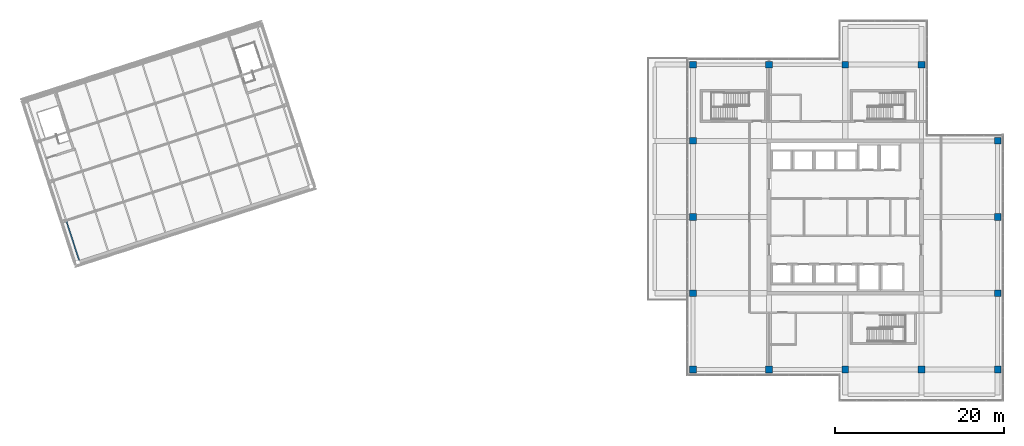
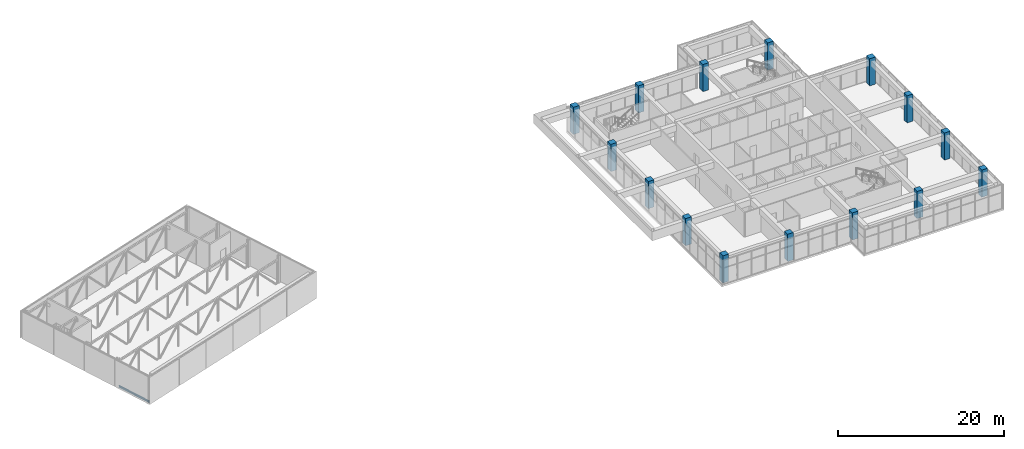
# One storey, part 2 of 52: 15 columns, 1 beam.
"""IFC4 building model written with IfcOpenShell, lengths in metres."""

from ifc_helpers import new_model, si_unit, direction, frame, origin, origin_2d, place, context, subcontext, project, spatial, rectangle, i_section, extrude, material, material_profile, profile_set, type_object, element, save


model = new_model("IFC4")

# Units and contexts
model_context = context("Model", 3, precision=1e-05, world=origin(), true_north=direction((0.0, 1.0)))
body_context = subcontext(model_context, "Body", "Model", "MODEL_VIEW")
ifc_project = project(units=[si_unit("LENGTHUNIT", "METRE"), si_unit("AREAUNIT", "SQUARE_METRE"), si_unit("VOLUMEUNIT", "CUBIC_METRE"), si_unit("PLANEANGLEUNIT", "RADIAN"), si_unit("MASSUNIT", "GRAM", prefix="KILO")], contexts=[model_context])

# Site, building, storey
site_placement = place(None, origin())
site = spatial("IfcSite", under=ifc_project, at=site_placement, CompositionType="ELEMENT")
building_placement = place(site_placement, origin())
building = spatial("IfcBuilding", under=site, at=building_placement, Name="Tuart Plaza Theatre", CompositionType="ELEMENT")
storey_placement = place(building_placement, frame((0.0, 0.0, 25.5)))
storey = spatial("IfcBuildingStorey", under=building, at=storey_placement, Name="L06", CompositionType="ELEMENT", Elevation=25.5)

# Columns
ifc_material_1 = material(Name="Concrete N50 (50 MPa)", Category="concrete")
ifc_material_profile_1 = material_profile(ifc_material_1, rectangle(XDim=0.800048828125, YDim=0.800048828125, at=origin_2d()), Name="COLUMN 800x800 Concrete N50 (50 MPa)")
ifc_profile_set_1 = profile_set([ifc_material_profile_1], Name="Concrete N50 (50 MPa)")
column_type = type_object("IfcColumnType", Name="COLUMN 800x800 Concrete N50 (50 MPa)", PredefinedType="COLUMN", material=ifc_profile_set_1)
for number, where, z_axis, x_axis, name in (
    (1, (114.0, 56.0, 0.0), (0.0, 0.0, 1.0), (1.0, 0.0, 0.0), "C50"),
    (2, (114.0, 65.0, 0.0), (0.0, 0.0, 1.0), (1.0, 0.0, 0.0), "C51"),
    (3, (114.0, 74.0, 0.0), (0.0, 0.0, 1.0), (1.0, 0.0, 0.0), "C52"),
    (4, (114.0, 83.0, 0.0), (0.0, 0.0, 1.0), (1.0, 0.0, 0.0), "C53"),
    (5, (114.0, 92.0, 0.0), (0.0, 0.0, 1.0), (1.0, 0.0, 0.0), "C54"),
    (6, (123.0, 56.0, 0.0), (0.0, 0.0, 1.0), (1.0, 0.0, 0.0), "C55"),
    (7, (123.0, 92.0, 0.0), (0.0, 0.0, 1.0), (1.0, 0.0, 0.0), "C56"),
    (8, (132.0, 56.0, 0.0), (0.0, 0.0, 1.0), (1.0, 0.0, 0.0), "C57"),
    (9, (132.0, 92.0, 0.0), (0.0, 0.0, 1.0), (1.0, 0.0, 0.0), "C58"),
    (10, (141.0, 56.0, 0.0), (0.0, 0.0, 1.0), (1.0, 0.0, 0.0), "C59"),
    (11, (141.0, 92.0, 0.0), (0.0, 0.0, 1.0), (1.0, 0.0, 0.0), "C60"),
    (12, (150.0, 56.0, 0.0), (0.0, 0.0, 1.0), (1.0, 0.0, 0.0), "C61"),
    (13, (150.0, 65.0, 0.0), (0.0, 0.0, 1.0), (1.0, 0.0, 0.0), "C62"),
    (14, (150.0, 74.0, 0.0), (0.0, 0.0, 1.0), (1.0, 0.0, 0.0), "C63"),
    (15, (150.0, 83.0, 0.0), (0.0, 0.0, 1.0), (1.0, 0.0, 0.0), "C64"),
):
    element("IfcColumn", number, at=place(storey_placement, frame(where, z_axis=z_axis, x_axis=x_axis)), inside=storey, type_object=column_type, Name=name, PredefinedType="COLUMN", context=body_context, shape_type="SweptSolid", body=[
        extrude(rectangle(XDim=0.800048828125, YDim=0.800048828125, at=origin_2d()), origin(), (0.0, 0.0, 1.0), 4.0),
    ])

# Beam
ifc_material_2 = material(Name="Steel Grade 300", Category="steel")
ifc_material_profile_2 = material_profile(ifc_material_2, i_section(OverallWidth=0.14599609375, OverallDepth=0.256103515625, WebThickness=0.00634765625, FlangeThickness=0.010986328125, FilletRadius=0.0087890625, at=origin_2d()), Name="250UB37.3")
ifc_profile_set_2 = profile_set([ifc_material_profile_2], Name="Steel Grade 300")
beam_type = type_object("IfcBeamType", Name="BEAM 250UB37.3", PredefinedType="BEAM", material=ifc_profile_set_2)
beam_placement = place(storey_placement, frame((41.5029296875, 68.890380859375, -0.278076171875), z_axis=(-0.308997967382, 0.951062698329, 0.0), x_axis=(-0.951062698329, -0.308997967382, 0.0)))
element("IfcBeam", 16, at=beam_placement, inside=storey, type_object=beam_type, Name="SB55", PredefinedType="BEAM", context=body_context, shape_type="SweptSolid", body=[
    extrude(i_section(OverallWidth=0.14599609375, OverallDepth=0.256103515625, WebThickness=0.00634765625, FlangeThickness=0.010986328125, FilletRadius=0.0087890625, at=origin_2d()), origin(), (0.0, 0.0, 1.0), 4.949951171875),
])

save(model, "model.ifc")
